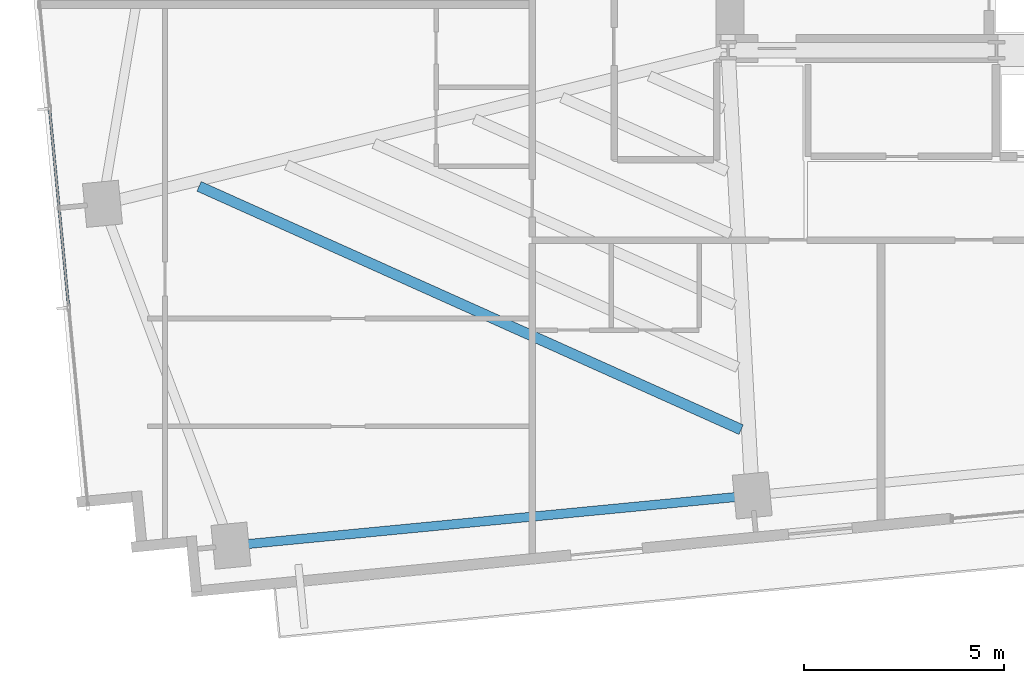
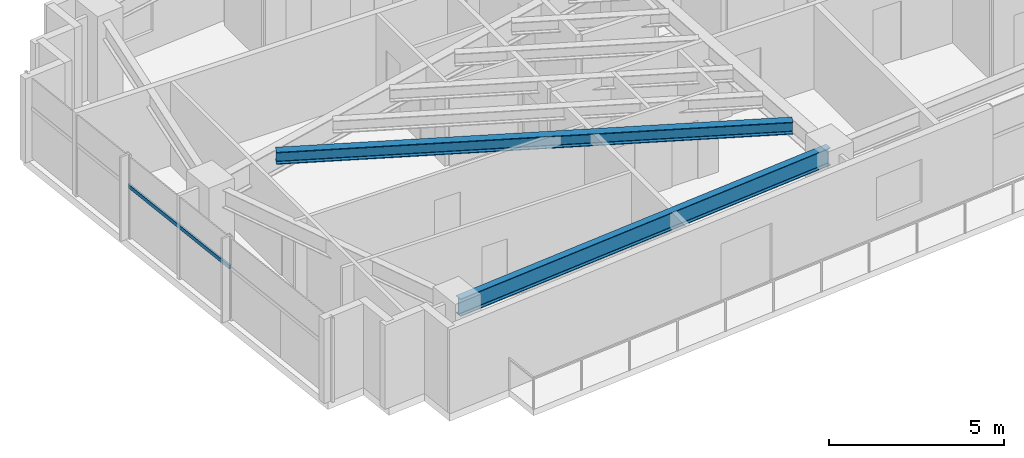
# One storey, part 3 of 27: 2 beams, 1 member, 1 element without a shape of its own.
"""IFC4 building model written with IfcOpenShell, lengths in metres."""

from ifc_helpers import new_model, si_unit, direction, frame, origin, origin_2d, place, context, subcontext, project, spatial, hollow_rectangle, i_section, extrude, source, transform, mapped, material, material_profile, profile_set, type_object, type_shapes, element, aggregate, save


model = new_model("IFC4")

# Units and contexts
model_context = context("Model", 3, precision=1e-05, world=origin(), true_north=direction((0.0, 1.0)))
body_context = subcontext(model_context, "Body", "Model", "MODEL_VIEW")
ifc_project = project(units=[si_unit("LENGTHUNIT", "METRE"), si_unit("AREAUNIT", "SQUARE_METRE"), si_unit("VOLUMEUNIT", "CUBIC_METRE"), si_unit("PLANEANGLEUNIT", "RADIAN"), si_unit("MASSUNIT", "GRAM", prefix="KILO")], contexts=[model_context])

# Site, building, storey
site_placement = place(None, origin())
site = spatial("IfcSite", under=ifc_project, at=site_placement, CompositionType="ELEMENT")
building_placement = place(site_placement, origin())
building = spatial("IfcBuilding", under=site, at=building_placement, Name="Astriad Promenade Condominiums", CompositionType="ELEMENT")
storey_placement = place(building_placement, frame((0.0, 0.0, 113.0)))
storey = spatial("IfcBuildingStorey", under=building, at=storey_placement, Name="L32", CompositionType="ELEMENT", Elevation=113.0)

# Beams
ifc_material_1 = material(Name="Steel ASTM A992 Grade 50", Category="steel")
ifc_material_profile_1 = material_profile(ifc_material_1, i_section(OverallWidth=0.22900390625, OverallDepth=0.612060546875, WebThickness=0.011962890625, FlangeThickness=0.01953125, FilletRadius=0.017822265625, at=origin_2d()), Name="W24X84")
ifc_profile_set_1 = profile_set([ifc_material_profile_1], Name="Steel ASTM A992 Grade 50")
beam_type_1 = type_object("IfcBeamType", Name="STEEL SPANDREL BEAM W24X84", PredefinedType="SPANDREL", material=ifc_profile_set_1)
shared_shape_1 = source(origin(), body_context, "Body", "SweptSolid", [
    extrude(i_section(OverallWidth=0.22900390625, OverallDepth=0.612060546875, WebThickness=0.011962890625, FlangeThickness=0.01953125, FilletRadius=0.017822265625, at=origin_2d()), origin(), (0.0, 0.0, 1.0), 13.02001953125),
])
type_shapes(beam_type_1, [shared_shape_1])
beam_1_placement = place(storey_placement, frame((14.005859375, 5.01318359375, 2.6337890625), z_axis=(0.995395138946, 0.095856754395, 0.0), x_axis=(-0.095856754395, 0.995395138946, 0.0)))
element("IfcBeam", 1, at=beam_1_placement, inside=storey, type_object=beam_type_1, Name="Perimeter Spandrel Beam SP-S1-L32", PredefinedType="SPANDREL", context=body_context, shape_type="MappedRepresentation", body=[
    mapped(shared_shape_1, transform((0.0, 0.0, 0.0), scale=1.0)),
])
ifc_material_profile_2 = material_profile(ifc_material_1, i_section(OverallWidth=0.26318359375, OverallDepth=0.425537109375, WebThickness=0.01318359375, FlangeThickness=0.022216796875, FilletRadius=0.013916015625, at=origin_2d()), Name="W16X89")
ifc_profile_set_2 = profile_set([ifc_material_profile_2], Name="Steel ASTM A992 Grade 50")
beam_type_2 = type_object("IfcBeamType", Name="STEEL FLOOR JOIST W16X89", PredefinedType="JOIST", material=ifc_profile_set_2)
shared_shape_2 = source(origin(), body_context, "Body", "SweptSolid", [
    extrude(i_section(OverallWidth=0.26318359375, OverallDepth=0.425537109375, WebThickness=0.01318359375, FlangeThickness=0.022216796875, FilletRadius=0.013916015625, at=origin_2d()), origin(), (0.0, 0.0, 1.0), 14.863037109375),
])
type_shapes(beam_type_2, [shared_shape_2])
beam_2_placement = place(storey_placement, frame((13.168212890625, 13.996826171875, 2.727294921875), z_axis=(0.912311114602, -0.409497777984, 0.0), x_axis=(0.409497777984, 0.912311114602, 0.0)))
element("IfcBeam", 2, at=beam_2_placement, inside=storey, type_object=beam_type_2, Name="Secondary Composite Floor Joist JW1-1-L32", PredefinedType="JOIST", context=body_context, shape_type="MappedRepresentation", body=[
    mapped(shared_shape_2, transform((0.0, 0.0, 0.0), scale=1.0)),
])

# Curtain wall, member
ifc_material_2 = material(Name="Anodised aluminium Black Dark Glass Unitised", Category="aluminium")
curtain_wall_type = type_object("IfcCurtainWallType", Name="CW-B2-DARK", PredefinedType="USERDEFINED", material=ifc_material_2)
curtain_wall_placement = place(storey_placement, origin())
curtain_wall = element("IfcCurtainWall", 3, at=curtain_wall_placement, inside=storey, type_object=curtain_wall_type, Name="CW-L32-W", ObjectType="UNITISED_CURTAIN_WALL", PredefinedType="USERDEFINED")
ifc_material_3 = material(Name="Anodised aluminium 6063-T6 Black", Category="aluminium")
ifc_material_profile_3 = material_profile(ifc_material_3, hollow_rectangle(XDim=0.06494140625, YDim=0.1298828125, WallThickness=0.00390625, at=origin_2d()), Name="ALU-TRN-65X130")
ifc_profile_set_3 = profile_set([ifc_material_profile_3], Name="Anodised aluminium 6063-T6 Black")
member_type = type_object("IfcMemberType", Name="TRN-ALU-TRN-65X130", PredefinedType="USERDEFINED", material=ifc_profile_set_3)
shared_shape_3 = source(origin(), body_context, "Body", "SweptSolid", [
    extrude(hollow_rectangle(XDim=0.06494140625, YDim=0.1298828125, WallThickness=0.00390625, at=origin_2d()), origin(), (0.0, 0.0, 1.0), 5.0),
])
type_shapes(member_type, [shared_shape_3])
member_placement = place(storey_placement, frame((9.90625, 10.9677734375, 1.82275390625), z_axis=(-0.095848242264, 0.995395958629, 0.0), x_axis=(-0.995395958629, -0.095848242264, 0.0)))
member = element("IfcMember", 4, at=member_placement, type_object=member_type, Name="CW-L32-W-TRN-01-0", ObjectType="TRANSOM", PredefinedType="USERDEFINED", context=body_context, shape_type="MappedRepresentation", body=[
    mapped(shared_shape_3, transform((0.0, 0.0, 0.0), scale=1.0)),
])
aggregate(curtain_wall, [member])

save(model, "model.ifc")
